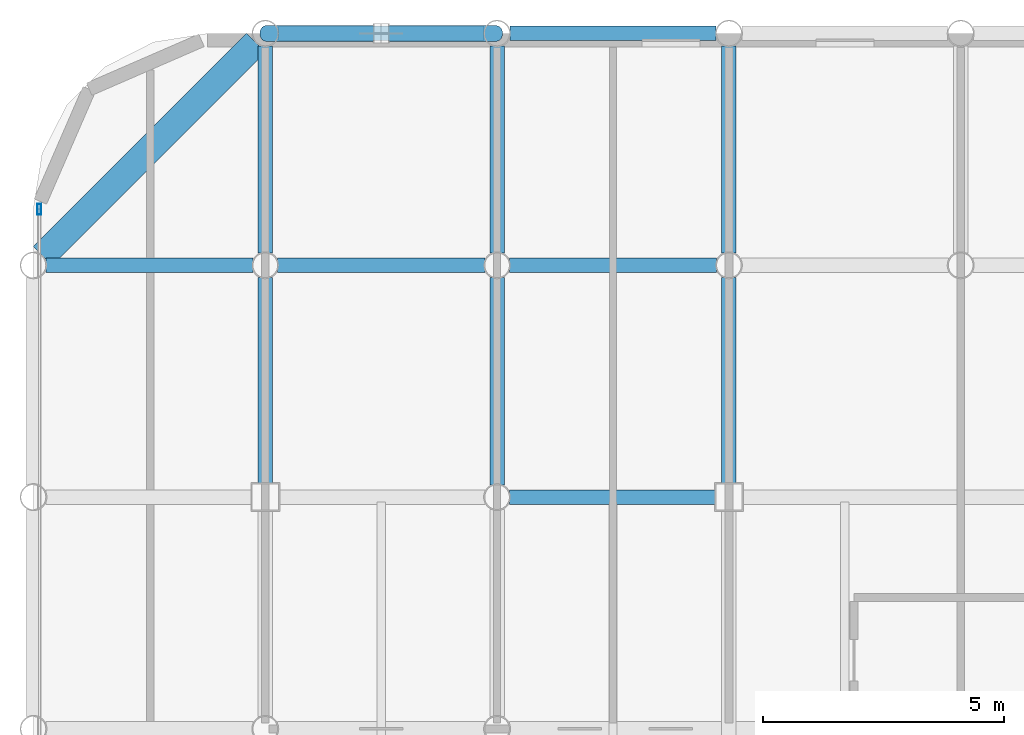
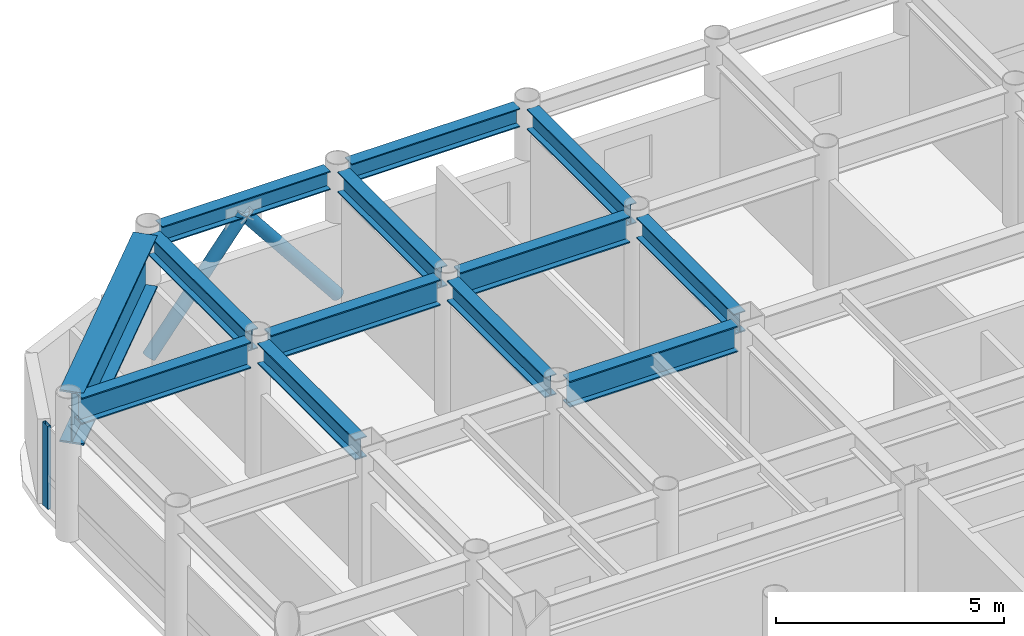
# One storey, part 12 of 22: 13 beams, 3 members, 1 element without a shape of its own.
"""IFC4 building model written with IfcOpenShell, lengths in metres."""

from ifc_helpers import new_model, si_unit, direction, frame, origin, origin_2d, place, context, subcontext, project, spatial, hollow_rectangle, hollow_circle, i_section, extrude, material, layer, layer_set, material_profile, profile_set, type_object, element, aggregate, save


model = new_model("IFC4")

# Units and contexts
model_context = context("Model", 3, precision=1e-05, world=origin(), true_north=direction((0.0, 1.0)))
body_context = subcontext(model_context, "Body", "Model", "MODEL_VIEW")
ifc_project = project(units=[si_unit("LENGTHUNIT", "METRE"), si_unit("AREAUNIT", "SQUARE_METRE"), si_unit("VOLUMEUNIT", "CUBIC_METRE"), si_unit("PLANEANGLEUNIT", "RADIAN"), si_unit("MASSUNIT", "GRAM", prefix="KILO")], contexts=[model_context])

# Site, building, storey
site_placement = place(None, origin())
site = spatial("IfcSite", under=ifc_project, at=site_placement, CompositionType="ELEMENT")
building_placement = place(site_placement, origin())
building = spatial("IfcBuilding", under=site, at=building_placement, Name="Kallvorn Hotel Tower", CompositionType="ELEMENT")
storey_placement = place(building_placement, frame((0.0, 0.0, 226.14990234375)))
storey = spatial("IfcBuildingStorey", under=building, at=storey_placement, Name="L56", CompositionType="ELEMENT", Elevation=226.14990234375)

# Beams
ifc_material_1 = material(Name="Structural steel S355JR", Category="steel")
ifc_material_profile_1 = material_profile(ifc_material_1, i_section(OverallWidth=0.300048828125, OverallDepth=0.5, WebThickness=0.014404296875, FlangeThickness=0.028076171875, at=origin_2d()), Name="HE 500 B")
ifc_profile_set_1 = profile_set([ifc_material_profile_1], Name="Structural steel S355JR")
beam_type_1 = type_object("IfcBeamType", Name="BM_HE500B", PredefinedType="SPANDREL", material=ifc_profile_set_1)
for number, where, z_axis, x_axis, name in (
    (1, (-23.73046875, 24.0, 3.420166015625), (1.0, 0.0, 0.0), (0.0, 1.0, 0.0), "L57 Perimeter Spandrel 163"),
    (2, (-18.930419921875, 24.0, 3.420166015625), (1.0, 0.0, 0.0), (0.0, 1.0, 0.0), "L57 Perimeter Spandrel 164"),
):
    element("IfcBeam", number, at=place(storey_placement, frame(where, z_axis=z_axis, x_axis=x_axis)), inside=storey, type_object=beam_type_1, Name=name, PredefinedType="SPANDREL", context=body_context, shape_type="SweptSolid", body=[
        extrude(i_section(OverallWidth=0.300048828125, OverallDepth=0.5, WebThickness=0.014404296875, FlangeThickness=0.028076171875, at=origin_2d()), origin(), (0.0, 0.0, 1.0), 4.260986328125),
    ])
ifc_material_2 = material(Name="Structural steel S355JR", Category="steel")
ifc_material_profile_2 = material_profile(ifc_material_2, i_section(OverallWidth=0.300048828125, OverallDepth=0.550048828125, WebThickness=0.014892578125, FlangeThickness=0.029052734375, at=origin_2d()), Name="HE 550 B")
ifc_profile_set_2 = profile_set([ifc_material_profile_2], Name="Structural steel S355JR")
beam_type_2 = type_object("IfcBeamType", Name="BM_HE550B", PredefinedType="SPANDREL", material=ifc_profile_set_2)
beam_1_placement = place(storey_placement, frame((-24.0, 14.675048828125, 3.39501953125), z_axis=(0.0, 1.0, 0.0), x_axis=(-1.0, 0.0, 0.0)))
element("IfcBeam", 3, at=beam_1_placement, inside=storey, type_object=beam_type_2, Name="L57 Primary Y-Girder 86", PredefinedType="SPANDREL", context=body_context, shape_type="SweptSolid", body=[
    extrude(i_section(OverallWidth=0.300048828125, OverallDepth=0.550048828125, WebThickness=0.014892578125, FlangeThickness=0.029052734375, at=origin_2d()), origin(), (0.0, 0.0, 1.0), 4.2705078125),
])
for number, where, z_axis, x_axis, name in (
    (4, (-24.0, 19.45458984375, 3.39501953125), (0.0, 1.0, 0.0), (-1.0, 0.0, 0.0), "L57 Primary Y-Girder 87"),
    (5, (-19.199951171875, 14.654541015625, 3.39501953125), (0.0, 1.0, 0.0), (-1.0, 0.0, 0.0), "L57 Primary Y-Girder 95"),
    (6, (-19.199951171875, 19.45458984375, 3.39501953125), (0.0, 1.0, 0.0), (-1.0, 0.0, 0.0), "L57 Primary Y-Girder 96"),
):
    element("IfcBeam", number, at=place(storey_placement, frame(where, z_axis=z_axis, x_axis=x_axis)), inside=storey, type_object=beam_type_2, Name=name, PredefinedType="SPANDREL", context=body_context, shape_type="SweptSolid", body=[
        extrude(i_section(OverallWidth=0.300048828125, OverallDepth=0.550048828125, WebThickness=0.014892578125, FlangeThickness=0.029052734375, at=origin_2d()), origin(), (0.0, 0.0, 1.0), 4.291015625),
    ])
beam_2_placement = place(storey_placement, frame((-14.39990234375, 14.675048828125, 3.39501953125), z_axis=(0.0, 1.0, 0.0), x_axis=(-1.0, 0.0, 0.0)))
element("IfcBeam", 7, at=beam_2_placement, inside=storey, type_object=beam_type_2, Name="L57 Primary Y-Girder 100", PredefinedType="SPANDREL", context=body_context, shape_type="SweptSolid", body=[
    extrude(i_section(OverallWidth=0.300048828125, OverallDepth=0.550048828125, WebThickness=0.014892578125, FlangeThickness=0.029052734375, at=origin_2d()), origin(), (0.0, 0.0, 1.0), 4.2705078125),
])
beam_3_placement = place(storey_placement, frame((-14.39990234375, 19.45458984375, 3.39501953125), z_axis=(0.0, 1.0, 0.0), x_axis=(-1.0, 0.0, 0.0)))
element("IfcBeam", 8, at=beam_3_placement, inside=storey, type_object=beam_type_2, Name="L57 Primary Y-Girder 101", PredefinedType="SPANDREL", context=body_context, shape_type="SweptSolid", body=[
    extrude(i_section(OverallWidth=0.300048828125, OverallDepth=0.550048828125, WebThickness=0.014892578125, FlangeThickness=0.029052734375, at=origin_2d()), origin(), (0.0, 0.0, 1.0), 4.291015625),
])
ifc_material_3 = material(Name="Structural steel S355JR", Category="steel")
ifc_material_profile_3 = material_profile(ifc_material_3, i_section(OverallWidth=0.300048828125, OverallDepth=0.699951171875, WebThickness=0.01708984375, FlangeThickness=0.031982421875, at=origin_2d()), Name="HE 700 B")
ifc_profile_set_3 = profile_set([ifc_material_profile_3], Name="Structural steel S355JR")
beam_type_3 = type_object("IfcBeamType", Name="BM_HE700B", PredefinedType="BEAM", material=ifc_profile_set_3)
beam_4_placement = place(storey_placement, frame((-18.945556640625, 14.39990234375, 3.320068359375), z_axis=(1.0, 0.0, 0.0), x_axis=(0.0, 1.0, 0.0)))
element("IfcBeam", 9, at=beam_4_placement, inside=storey, type_object=beam_type_3, Name="L57 Primary X-Girder 52", PredefinedType="BEAM", context=body_context, shape_type="SweptSolid", body=[
    extrude(i_section(OverallWidth=0.300048828125, OverallDepth=0.699951171875, WebThickness=0.01708984375, FlangeThickness=0.031982421875, at=origin_2d()), origin(), (0.0, 0.0, 1.0), 4.2705078125),
])
for number, where, z_axis, x_axis, name in (
    (10, (-28.54541015625, 19.199951171875, 3.320068359375), (1.0, 0.0, 0.0), (0.0, 1.0, 0.0), "L57 Primary X-Girder 60"),
    (11, (-23.74560546875, 19.199951171875, 3.320068359375), (1.0, 0.0, 0.0), (0.0, 1.0, 0.0), "L57 Primary X-Girder 61"),
    (12, (-18.945556640625, 19.199951171875, 3.320068359375), (1.0, 0.0, 0.0), (0.0, 1.0, 0.0), "L57 Primary X-Girder 62"),
):
    element("IfcBeam", number, at=place(storey_placement, frame(where, z_axis=z_axis, x_axis=x_axis)), inside=storey, type_object=beam_type_3, Name=name, PredefinedType="BEAM", context=body_context, shape_type="SweptSolid", body=[
        extrude(i_section(OverallWidth=0.300048828125, OverallDepth=0.699951171875, WebThickness=0.01708984375, FlangeThickness=0.031982421875, at=origin_2d()), origin(), (0.0, 0.0, 1.0), 4.291015625),
    ])
ifc_material_4 = material(Name="Structural steel S355JR", Category="steel")
ifc_material_profile_4 = material_profile(ifc_material_4, i_section(OverallWidth=0.550048828125, OverallDepth=1.39990234375, WebThickness=0.02490234375, FlangeThickness=0.044921875, at=origin_2d()), Name="PG 1400x550x25x45")
ifc_profile_set_4 = profile_set([ifc_material_profile_4], Name="Structural steel S355JR")
beam_type_4 = type_object("IfcBeamType", Name="BM_PG_1400", PredefinedType="BEAM", material=ifc_profile_set_4)
beam_5_placement = place(storey_placement, frame((-28.609375, 19.390625, 2.97021484375), z_axis=(0.707106781187, 0.707106781187, 0.0), x_axis=(-0.707106781187, 0.707106781187, 0.0)))
element("IfcBeam", 13, at=beam_5_placement, inside=storey, type_object=beam_type_4, Name="L57 Rounded Corner Tie Beam 189", PredefinedType="BEAM", context=body_context, shape_type="SweptSolid", body=[
    extrude(i_section(OverallWidth=0.550048828125, OverallDepth=1.39990234375, WebThickness=0.02490234375, FlangeThickness=0.044921875, at=origin_2d()), origin(), (0.0, 0.0, 1.0), 6.2490234375),
])

# Curtain wall, member
ifc_material_5 = material(Name="Thermally broken black-anodised aluminium AA 6063-T6", Category="aluminium")
ifc_layer = layer(ifc_material_5, 0.22998046875)
ifc_layer_set = layer_set([ifc_layer], Name="CW_SYS_5_HOTEL_HIGH")
curtain_wall_type = type_object("IfcCurtainWallType", Name="CW_SYS_5_HOTEL_HIGH", PredefinedType="USERDEFINED", material=ifc_layer_set)
curtain_wall_placement = place(storey_placement, origin())
curtain_wall = element("IfcCurtainWall", 14, at=curtain_wall_placement, inside=storey, type_object=curtain_wall_type, Name="L56 Dark-Glass Curtain Wall CW-L56-WN", ObjectType="UNITISED CURTAIN WALL", PredefinedType="USERDEFINED")
ifc_material_6 = material(Name="Thermally broken black-anodised aluminium AA 6063-T6", Category="aluminium")
ifc_material_profile_5 = material_profile(ifc_material_6, hollow_rectangle(XDim=0.080078125, YDim=0.219970703125, WallThickness=0.0048828125, at=origin_2d()), Name="MUL 220x80")
ifc_profile_set_5 = profile_set([ifc_material_profile_5], Name="Thermally broken black-anodised aluminium AA 6063-T6")
member_type_1 = type_object("IfcMemberType", Name="CW_MULLION_220x80", PredefinedType="MULLION", material=ifc_profile_set_5)
member_placement = place(storey_placement, frame((-28.679931640625, 20.360107421875, 0.02001953125), z_axis=(0.0, 0.0, 1.0), x_axis=(1.0, 0.0, 0.0)))
member = element("IfcMember", 15, at=member_placement, type_object=member_type_1, Name="CW-L56-WN Mullion 01", PredefinedType="MULLION", context=body_context, shape_type="SweptSolid", body=[
    extrude(hollow_rectangle(XDim=0.080078125, YDim=0.219970703125, WallThickness=0.0048828125, at=origin_2d()), origin(), (0.0, 0.0, 1.0), 2.22998046875),
])
aggregate(curtain_wall, [member])

# Members
ifc_material_7 = material(Name="Structural steel S355J2H", Category="steel")
ifc_material_profile_6 = material_profile(ifc_material_7, hollow_circle(Radius=0.161865234375, WallThickness=0.012451171875, at=origin_2d()), Name="CHS 323.9x12.5")
ifc_profile_set_6 = profile_set([ifc_material_profile_6], Name="Structural steel S355J2H")
member_type_2 = type_object("IfcMemberType", Name="MBR_EXO_CHS323", PredefinedType="BRACE", material=ifc_profile_set_6)
for number, where, z_axis, x_axis, name in (
    (16, (-23.987548828125, 24.0, 0.19580078125), (0.620928510901, 0.0, 0.783867198159), (0.0, 1.0, 0.0), "L56 Exoskeleton K-Brace N1A"),
    (17, (-19.21240234375, 24.0, 0.19580078125), (-0.620928510901, 0.0, 0.783867198159), (0.0, -1.0, 0.0), "L56 Exoskeleton K-Brace N1B"),
):
    element("IfcMember", number, at=place(storey_placement, frame(where, z_axis=z_axis, x_axis=x_axis)), inside=storey, type_object=member_type_2, Name=name, PredefinedType="BRACE", context=body_context, shape_type="SweptSolid", body=[
        extrude(hollow_circle(Radius=0.161865234375, WallThickness=0.012451171875, at=origin_2d()), origin(), (0.0, 0.0, 1.0), 3.8251953125),
    ])

save(model, "model.ifc")
